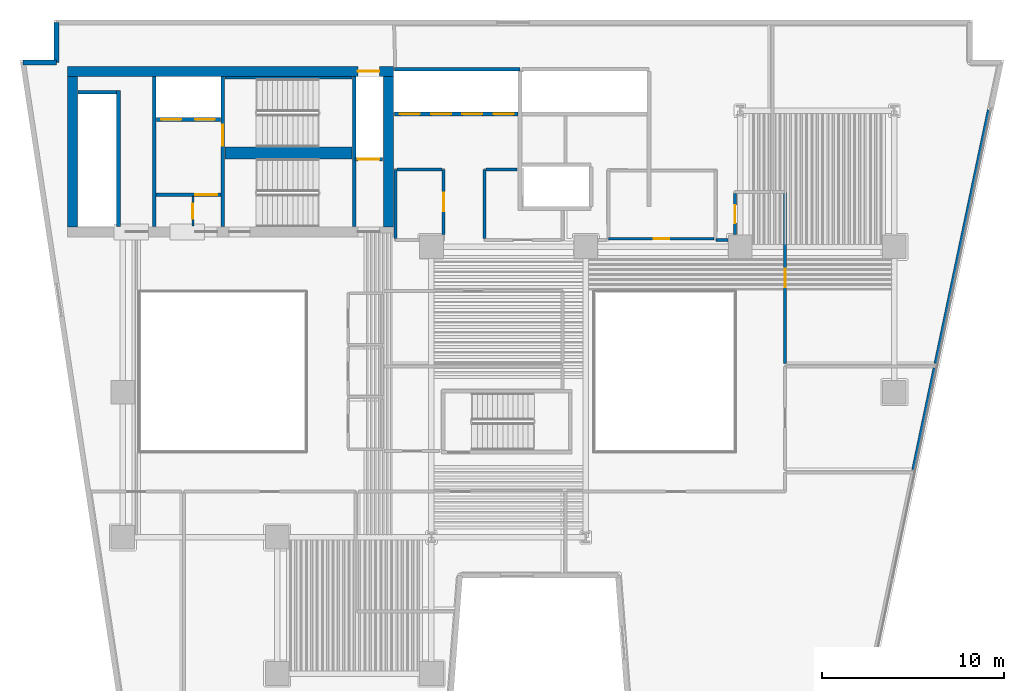
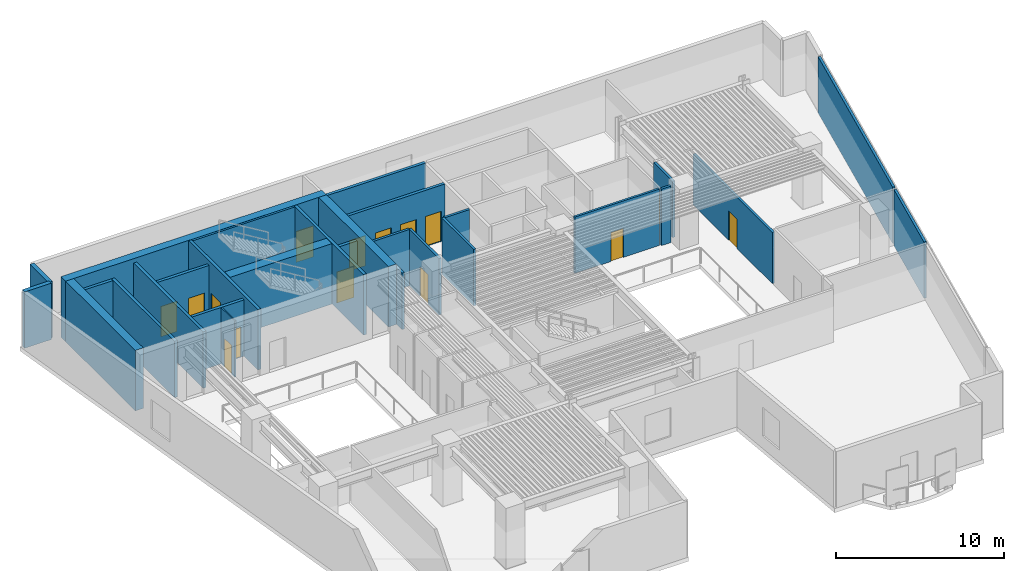
# One storey, part 5 of 11: 29 walls, 15 doors, 15 openings.
"""IFC4 building model written with IfcOpenShell, lengths in metres."""

from ifc_helpers import new_model, si_unit, direction, frame, frame_2d, origin, place, context, subcontext, project, spatial, rectangle, extrude, material, layer, layer_set, type_object, element, fill, save


model = new_model("IFC4")

# Units and contexts
model_context = context("Model", 3, precision=1e-05, world=origin(), true_north=direction((0.0, 1.0)))
body_context = subcontext(model_context, "Body", "Model", "MODEL_VIEW")
ifc_project = project(units=[si_unit("LENGTHUNIT", "METRE"), si_unit("AREAUNIT", "SQUARE_METRE"), si_unit("VOLUMEUNIT", "CUBIC_METRE"), si_unit("PLANEANGLEUNIT", "RADIAN"), si_unit("MASSUNIT", "GRAM", prefix="KILO")], contexts=[model_context])

# Site, building, storey
site_placement = place(None, origin())
site = spatial("IfcSite", under=ifc_project, at=site_placement, CompositionType="ELEMENT")
building_placement = place(site_placement, origin())
building = spatial("IfcBuilding", under=site, at=building_placement, Name="Caeloran Harvest Quay", CompositionType="ELEMENT")
storey_placement = place(building_placement, frame((0.0, 0.0, 66.60009765625)))
storey = spatial("IfcBuildingStorey", under=building, at=storey_placement, Name="L15", CompositionType="ELEMENT", Elevation=66.60009765625)

# Walls
ifc_material_1 = material(Name="Precast concrete C50/60", Category="concrete")
ifc_layer_1 = layer(ifc_material_1, 0.280029296875, Name="Precast concrete C50/60")
ifc_layer_set_1 = layer_set([ifc_layer_1], Name="Precast concrete C50/60")
wall_type_1 = type_object("IfcWallType", Name="ENV-WALL-EW-280", PredefinedType="STANDARD", material=ifc_layer_set_1)
wall_1_placement = place(storey_placement, frame((2.99755859375, 41.159912109375, 0.0), z_axis=(0.0, 0.0, 1.0), x_axis=(1.0, 0.0, 0.0)))
element("IfcWall", 1, at=wall_1_placement, inside=storey, type_object=wall_type_1, Name="L15 Exterior Precast Concrete Facade Wall 4", PredefinedType="STANDARD", context=body_context, shape_type="SweptSolid", body=[
    extrude(rectangle(XDim=1.842529296875, YDim=0.280029296875, at=frame_2d((0.92138671875, 0.0))), origin(), (0.0, 0.0, 1.0), 4.099853515625),
])
wall_2_placement = place(storey_placement, frame((4.840087890625, 41.159912109375, 0.0), z_axis=(0.0, 0.0, 1.0), x_axis=(0.0, 1.0, 0.0)))
element("IfcWall", 2, at=wall_2_placement, inside=storey, type_object=wall_type_1, Name="L15 Exterior Precast Concrete Facade Wall 5", PredefinedType="STANDARD", context=body_context, shape_type="SweptSolid", body=[
    extrude(rectangle(XDim=2.2001953125, YDim=0.280029296875, at=frame_2d((1.10009765625, 0.0))), origin(), (0.0, 0.0, 1.0), 4.099853515625),
])

# Wall, opening, door
ifc_material_2 = material(Name="Fire-Resisting Gypsum Core Riser Partition", Category="gypsum")
ifc_layer_2 = layer(ifc_material_2, 0.10009765625, Name="Fire-Resisting Gypsum Core Riser Partition")
ifc_layer_set_2 = layer_set([ifc_layer_2], Name="Fire-Resisting Gypsum Core Riser Partition")
wall_type_2 = type_object("IfcWallType", Name="INT-WALL-PW-100", PredefinedType="PARTITIONING", material=ifc_layer_set_2)
wall_3_placement = place(storey_placement, frame((12.360107421875, 32.159912109375, 0.0), z_axis=(0.0, 0.0, 1.0), x_axis=(0.0, 1.0, 0.0)))
wall_3 = element("IfcWall", 3, at=wall_3_placement, inside=storey, type_object=wall_type_2, Name="L15 Core Store Partition Wall", PredefinedType="PARTITIONING", context=body_context, shape_type="SweptSolid", body=[
    extrude(rectangle(XDim=1.6201171875, YDim=0.10009765625, at=frame_2d((0.81005859375, 0.0))), origin(), (0.0, 0.0, 1.0), 4.099853515625),
])
opening_1_placement = place(wall_3_placement, frame((0.3798828125, 0.0, 0.0)))
opening_1 = element("IfcOpeningElement", 4, at=opening_1_placement, cuts=wall_3, Name="Opening SV-01", PredefinedType="OPENING", context=body_context, shape_type="SweptSolid", body=[
    extrude(rectangle(XDim=0.85009765625, YDim=2.10009765625, at=frame_2d((0.425048828125, 1.050048828125))), frame((0.0, 0.06005859375, 0.0), z_axis=(0.0, -1.0, 0.0), x_axis=(1.0, 0.0, 0.0)), (0.0, 0.0, 1.0), 0.1201171875),
])
ifc_material_3 = material(Name="Galvanized Painted Steel", Category="steel")
door_type_1 = type_object("IfcDoorType", Name="INTDOOR-SV-01", OperationType="NOTDEFINED", PredefinedType="DOOR", material=ifc_material_3)
door_1_placement = place(opening_1_placement, origin())
door_1 = element("IfcDoor", 5, at=door_1_placement, inside=storey, type_object=door_type_1, Name="L15 Core Service Room Access Door", OperationType="SINGLE_SWING_RIGHT", OverallHeight=2.10009765625, OverallWidth=0.85009765625, PredefinedType="DOOR", context=body_context, shape_type="SweptSolid", body=[
    extrude(rectangle(XDim=0.85009765625, YDim=2.10009765625, at=frame_2d((0.425048828125, 1.050048828125))), frame((0.0, 0.02490234375, 0.0), z_axis=(0.0, -1.0, 0.0), x_axis=(1.0, 0.0, 0.0)), (0.0, 0.0, 1.0), 0.050048828125),
])
fill(opening_1, door_1)

ifc_material_4 = material(Name="Autoclaved Aerated Concrete Blockwork and Plasterboard", Category="masonry")
ifc_layer_3 = layer(ifc_material_4, 0.14990234375, Name="Autoclaved Aerated Concrete Blockwork and Plasterboard")
ifc_layer_set_3 = layer_set([ifc_layer_3], Name="Autoclaved Aerated Concrete Blockwork and Plasterboard")
wall_type_3 = type_object("IfcWallType", Name="INT-WALL-PW-150", PredefinedType="PARTITIONING", material=ifc_layer_set_3)
wall_4_placement = place(storey_placement, frame((41.070068359375, 31.449951171875, 0.0), z_axis=(0.0, 0.0, 1.0), x_axis=(-1.0, 0.0, 0.0)))
wall_4 = element("IfcWall", 6, at=wall_4_placement, inside=storey, type_object=wall_type_3, Name="L15 Core Telemetry Control Room Partition Wall", PredefinedType="PARTITIONING", context=body_context, shape_type="SweptSolid", body=[
    extrude(rectangle(XDim=5.820068359375, YDim=0.14990234375, at=frame_2d((2.91015625, 0.0))), origin(), (0.0, 0.0, 1.0), 4.099853515625),
])
opening_2_placement = place(wall_4_placement, frame((2.485107421875, 0.0, 0.0)))
opening_2 = element("IfcOpeningElement", 7, at=opening_2_placement, cuts=wall_4, Name="Opening SV-01", PredefinedType="OPENING", context=body_context, shape_type="SweptSolid", body=[
    extrude(rectangle(XDim=0.85009765625, YDim=2.10009765625, at=frame_2d((0.425048828125, 1.050048828125))), frame((0.0, 0.0849609375, 0.0), z_axis=(0.0, -1.0, 0.0), x_axis=(1.0, 0.0, 0.0)), (0.0, 0.0, 1.0), 0.169921875),
])
door_2_placement = place(opening_2_placement, origin())
door_2 = element("IfcDoor", 8, at=door_2_placement, inside=storey, type_object=door_type_1, Name="L15 Core Telemetry Control Room Access Door", OperationType="SINGLE_SWING_RIGHT", OverallHeight=2.10009765625, OverallWidth=0.85009765625, PredefinedType="DOOR", context=body_context, shape_type="SweptSolid", body=[
    extrude(rectangle(XDim=0.85009765625, YDim=2.10009765625, at=frame_2d((0.425048828125, 1.050048828125))), frame((0.0, 0.02490234375, 0.0), z_axis=(0.0, -1.0, 0.0), x_axis=(1.0, 0.0, 0.0)), (0.0, 0.0, 1.0), 0.050048828125),
])
fill(opening_2, door_2)

# Walls
ifc_material_5 = material(Name="Autoclaved Aerated Concrete Blockwork", Category="masonry")
ifc_layer_4 = layer(ifc_material_5, 0.1650390625, Name="Autoclaved Aerated Concrete Blockwork")
ifc_layer_set_4 = layer_set([ifc_layer_4], Name="Autoclaved Aerated Concrete Blockwork")
wall_type_4 = type_object("IfcWallType", Name="INT-WALL-PW-165", PredefinedType="PARTITIONING", material=ifc_layer_set_4)
wall_5_placement = place(storey_placement, frame((53.20751953125, 24.33251953125, 0.0), z_axis=(0.0, 0.0, 1.0), x_axis=(-0.20551396666, -0.978654182798, 0.0)))
element("IfcWall", 9, at=wall_5_placement, inside=storey, type_object=wall_type_4, Name="Packaging Crate Laboratory Partition Wall", PredefinedType="PARTITIONING", context=body_context, shape_type="SweptSolid", body=[
    extrude(rectangle(XDim=5.724853515625, YDim=0.1650390625, at=frame_2d((2.8623046875, 0.0))), origin(), (0.0, 0.0, 1.0), 4.099853515625),
])
wall_6_placement = place(storey_placement, frame((28.429931640625, 31.467529296875, 0.0), z_axis=(0.0, 0.0, 1.0), x_axis=(0.0, 1.0, 0.0)))
element("IfcWall", 10, at=wall_6_placement, inside=storey, type_object=wall_type_4, Name="Staff Wellness Lounge Partition Wall", PredefinedType="PARTITIONING", context=body_context, shape_type="SweptSolid", body=[
    extrude(rectangle(XDim=3.802490234375, YDim=0.1650390625, at=frame_2d((1.9013671875, 0.0))), origin(), (0.0, 0.0, 1.0), 4.099853515625),
])
wall_7_placement = place(storey_placement, frame((28.517578125, 35.27001953125, 0.0), z_axis=(0.0, 0.0, 1.0), x_axis=(1.0, 0.0, 0.0)))
element("IfcWall", 11, at=wall_7_placement, inside=storey, type_object=wall_type_4, Name="Staff Wellness Lounge Partition Wall", PredefinedType="PARTITIONING", context=body_context, shape_type="SweptSolid", body=[
    extrude(rectangle(XDim=1.702392578125, YDim=0.1650390625, at=frame_2d((0.85107421875, 0.0))), origin(), (0.0, 0.0, 1.0), 4.099853515625),
])

# Wall, opening, door
wall_8_placement = place(storey_placement, frame((26.169921875, 35.27001953125, 0.0), z_axis=(0.0, 0.0, 1.0), x_axis=(0.0, -1.0, 0.0)))
wall_8 = element("IfcWall", 12, at=wall_8_placement, inside=storey, type_object=wall_type_4, Name="Dwarf Citrus Mezzanine Growing Hall 9 Partition Wall", PredefinedType="PARTITIONING", context=body_context, shape_type="SweptSolid", body=[
    extrude(rectangle(XDim=3.594970703125, YDim=0.1650390625, at=frame_2d((1.79736328125, 0.0))), origin(), (0.0, 0.0, 1.0), 4.099853515625),
])
opening_3_placement = place(wall_8_placement, frame((1.297607421875, 0.0, 0.0)))
opening_3 = element("IfcOpeningElement", 13, at=opening_3_placement, cuts=wall_8, Name="Opening ID-01", PredefinedType="OPENING", context=body_context, shape_type="SweptSolid", body=[
    extrude(rectangle(XDim=1.0, YDim=2.14990234375, at=frame_2d((0.5, 1.074951171875))), frame((0.0, 0.092529296875, 0.0), z_axis=(0.0, -1.0, 0.0), x_axis=(1.0, 0.0, 0.0)), (0.0, 0.0, 1.0), 0.18505859375),
])
ifc_material_6 = material(Name="FSC Solid-Core Ash Timber and Acoustic Seal", Category="wood")
door_type_2 = type_object("IfcDoorType", Name="INTDOOR-ID-01", OperationType="NOTDEFINED", PredefinedType="DOOR", material=ifc_material_6)
door_3_placement = place(opening_3_placement, origin())
door_3 = element("IfcDoor", 14, at=door_3_placement, inside=storey, type_object=door_type_2, Name="Dwarf Citrus Mezzanine Growing Hall 9 Access Door", OperationType="SINGLE_SWING_LEFT", OverallHeight=2.14990234375, OverallWidth=1.0, PredefinedType="DOOR", context=body_context, shape_type="SweptSolid", body=[
    extrude(rectangle(XDim=1.0, YDim=2.14990234375, at=frame_2d((0.5, 1.074951171875))), frame((0.0, 0.02490234375, 0.0), z_axis=(0.0, -1.0, 0.0), x_axis=(1.0, 0.0, 0.0)), (0.0, 0.0, 1.0), 0.050048828125),
])
fill(opening_3, door_3)

# Walls
wall_9_placement = place(storey_placement, frame((23.510009765625, 31.467529296875, 0.0), z_axis=(0.0, 0.0, 1.0), x_axis=(0.0, 1.0, 0.0)))
element("IfcWall", 15, at=wall_9_placement, inside=storey, type_object=wall_type_4, Name="Dwarf Citrus Mezzanine Growing Hall 9 Partition Wall", PredefinedType="PARTITIONING", context=body_context, shape_type="SweptSolid", body=[
    extrude(rectangle(XDim=3.804443359375, YDim=0.1650390625, at=frame_2d((1.90234375, 0.0))), origin(), (0.0, 0.0, 1.0), 4.099853515625),
])
wall_10_placement = place(storey_placement, frame((23.597412109375, 35.27001953125, 0.0), z_axis=(0.0, 0.0, 1.0), x_axis=(1.0, 0.0, 0.0)))
element("IfcWall", 16, at=wall_10_placement, inside=storey, type_object=wall_type_4, Name="Dwarf Citrus Mezzanine Growing Hall 9 Partition Wall", PredefinedType="PARTITIONING", context=body_context, shape_type="SweptSolid", body=[
    extrude(rectangle(XDim=2.485107421875, YDim=0.1650390625, at=frame_2d((1.24267578125, 0.0))), origin(), (0.0, 0.0, 1.0), 4.099853515625),
])
wall_11_placement = place(storey_placement, frame((56.1943359375, 38.547607421875, 0.0), z_axis=(0.0, 0.0, 1.0), x_axis=(-0.205594071113, -0.978637357719, 0.0)))
element("IfcWall", 17, at=wall_11_placement, inside=storey, type_object=wall_type_4, Name="Medicinal Plant Aeroponic Room 10 Partition Wall", PredefinedType="PARTITIONING", context=body_context, shape_type="SweptSolid", body=[
    extrude(rectangle(XDim=14.2724609375, YDim=0.1650390625, at=frame_2d((7.13623046875, 0.0))), origin(), (0.0, 0.0, 1.0), 4.099853515625),
])

# Wall, opening, door
wall_12_placement = place(storey_placement, frame((44.97998046875, 24.580078125, 0.0), z_axis=(0.0, 0.0, 1.0), x_axis=(0.0, 1.0, 0.0)))
wall_12 = element("IfcWall", 18, at=wall_12_placement, inside=storey, type_object=wall_type_4, Name="Medicinal Plant Aeroponic Room 10 Partition Wall", PredefinedType="PARTITIONING", context=body_context, shape_type="SweptSolid", body=[
    extrude(rectangle(XDim=9.419921875, YDim=0.1650390625, at=frame_2d((4.7099609375, 0.0))), origin(), (0.0, 0.0, 1.0), 3.724853515625),
])
opening_4_placement = place(wall_12_placement, frame((4.2099609375, 0.0, 0.0)))
opening_4 = element("IfcOpeningElement", 19, at=opening_4_placement, cuts=wall_12, Name="Opening ID-01", PredefinedType="OPENING", context=body_context, shape_type="SweptSolid", body=[
    extrude(rectangle(XDim=1.0, YDim=2.14990234375, at=frame_2d((0.5, 1.074951171875))), frame((0.0, 0.092529296875, 0.0), z_axis=(0.0, -1.0, 0.0), x_axis=(1.0, 0.0, 0.0)), (0.0, 0.0, 1.0), 0.18505859375),
])
door_4_placement = place(opening_4_placement, origin())
door_4 = element("IfcDoor", 20, at=door_4_placement, inside=storey, type_object=door_type_2, Name="Medicinal Plant Aeroponic Room 10 Access Door", OperationType="SINGLE_SWING_RIGHT", OverallHeight=2.14990234375, OverallWidth=1.0, PredefinedType="DOOR", context=body_context, shape_type="SweptSolid", body=[
    extrude(rectangle(XDim=1.0, YDim=2.14990234375, at=frame_2d((0.5, 1.074951171875))), frame((0.0, 0.02490234375, 0.0), z_axis=(0.0, -1.0, 0.0), x_axis=(1.0, 0.0, 0.0)), (0.0, 0.0, 1.0), 0.050048828125),
])
fill(opening_4, door_4)

wall_13_placement = place(storey_placement, frame((42.219970703125, 33.9423828125, 0.0), z_axis=(0.0, 0.0, 1.0), x_axis=(0.0, -1.0, 0.0)))
wall_13 = element("IfcWall", 21, at=wall_13_placement, inside=storey, type_object=wall_type_4, Name="Photobiology Spectrum Laboratory 11 Partition Wall", PredefinedType="PARTITIONING", context=body_context, shape_type="SweptSolid", body=[
    extrude(rectangle(XDim=2.267333984375, YDim=0.1650390625, at=frame_2d((1.1337890625, 0.0))), origin(), (0.0, 0.0, 1.0), 4.099853515625),
])
opening_5_placement = place(wall_13_placement, frame((0.6337890625, 0.0, 0.0)))
opening_5 = element("IfcOpeningElement", 22, at=opening_5_placement, cuts=wall_13, Name="Opening ID-01", PredefinedType="OPENING", context=body_context, shape_type="SweptSolid", body=[
    extrude(rectangle(XDim=1.0, YDim=2.14990234375, at=frame_2d((0.5, 1.074951171875))), frame((0.0, 0.092529296875, 0.0), z_axis=(0.0, -1.0, 0.0), x_axis=(1.0, 0.0, 0.0)), (0.0, 0.0, 1.0), 0.18505859375),
])
door_5_placement = place(opening_5_placement, origin())
door_5 = element("IfcDoor", 23, at=door_5_placement, inside=storey, type_object=door_type_2, Name="Photobiology Spectrum Laboratory 11 Access Door", OperationType="SINGLE_SWING_LEFT", OverallHeight=2.14990234375, OverallWidth=1.0, PredefinedType="DOOR", context=body_context, shape_type="SweptSolid", body=[
    extrude(rectangle(XDim=1.0, YDim=2.14990234375, at=frame_2d((0.5, 1.074951171875))), frame((0.0, 0.02490234375, 0.0), z_axis=(0.0, -1.0, 0.0), x_axis=(1.0, 0.0, 0.0)), (0.0, 0.0, 1.0), 0.050048828125),
])
fill(opening_5, door_5)

# Walls
wall_14_placement = place(storey_placement, frame((41.824951171875, 31.3798828125, 0.0), z_axis=(0.0, 0.0, 1.0), x_axis=(-1.0, 0.0, 0.0)))
element("IfcWall", 24, at=wall_14_placement, inside=storey, type_object=wall_type_4, Name="Photobiology Spectrum Laboratory 11 Partition Wall", PredefinedType="PARTITIONING", context=body_context, shape_type="SweptSolid", body=[
    extrude(rectangle(XDim=0.660400390625, YDim=0.1650390625, at=frame_2d((0.330078125, 0.0))), origin(), (0.0, 0.0, 1.0), 4.099853515625),
])
ifc_material_7 = material(Name="Concrete C50/60", Category="concrete")
ifc_layer_5 = layer(ifc_material_7, 0.199951171875, Name="Concrete C50/60")
ifc_layer_set_5 = layer_set([ifc_layer_5], Name="Concrete C50/60")
wall_type_5 = type_object("IfcWallType", Name="INT-WALL-SW-200", PredefinedType="PARTITIONING", material=ifc_layer_set_5)
wall_15_placement = place(storey_placement, frame((8.260009765625, 32.1201171875, 0.0), z_axis=(0.0, 0.0, 1.0), x_axis=(0.0, 1.0, 0.0)))
element("IfcWall", 25, at=wall_15_placement, inside=storey, type_object=wall_type_5, Name="L15 Bank 3 Lift Shaft Wall", PredefinedType="PARTITIONING", context=body_context, shape_type="SweptSolid", body=[
    extrude(rectangle(XDim=7.5, YDim=0.199951171875, at=frame_2d((3.75, 0.0))), origin(), (0.0, 0.0, 1.0), 4.099853515625),
])
wall_16_placement = place(storey_placement, frame((6.02001953125, 39.52001953125, 0.0), z_axis=(0.0, 0.0, 1.0), x_axis=(1.0, 0.0, 0.0)))
element("IfcWall", 26, at=wall_16_placement, inside=storey, type_object=wall_type_5, Name="L15 Bank 3 Lift Shaft North End Wall", PredefinedType="PARTITIONING", context=body_context, shape_type="SweptSolid", body=[
    extrude(rectangle(XDim=2.119873046875, YDim=0.199951171875, at=frame_2d((1.06005859375, 0.0))), origin(), (0.0, 0.0, 1.0), 4.099853515625),
])
wall_17_placement = place(storey_placement, frame((10.219970703125, 32.1201171875, 0.0), z_axis=(0.0, 0.0, 1.0), x_axis=(0.0, 1.0, 0.0)))
element("IfcWall", 27, at=wall_17_placement, inside=storey, type_object=wall_type_5, Name="L15 Core Lobby Compartment Wall", PredefinedType="PARTITIONING", context=body_context, shape_type="SweptSolid", body=[
    extrude(rectangle(XDim=8.259765625, YDim=0.199951171875, at=frame_2d((4.1298828125, 0.0))), origin(), (0.0, 0.0, 1.0), 4.099853515625),
])

# Wall, openings, doors
wall_18_placement = place(storey_placement, frame((10.340087890625, 38.02001953125, 0.0), z_axis=(0.0, 0.0, 1.0), x_axis=(1.0, 0.0, 0.0)))
wall_18 = element("IfcWall", 28, at=wall_18_placement, inside=storey, type_object=wall_type_5, Name="L15 Firefighting Lift Shaft Wall", PredefinedType="PARTITIONING", context=body_context, shape_type="SweptSolid", body=[
    extrude(rectangle(XDim=3.539794921875, YDim=0.199951171875, at=frame_2d((1.77001953125, 0.0))), origin(), (0.0, 0.0, 1.0), 4.099853515625),
])
opening_6_placement = place(wall_18_placement, frame((0.284912109375, 0.0, 0.0)))
opening_6 = element("IfcOpeningElement", 29, at=opening_6_placement, cuts=wall_18, Name="Opening LD-01", PredefinedType="OPENING", context=body_context, shape_type="SweptSolid", body=[
    extrude(rectangle(XDim=1.10009765625, YDim=2.199951171875, at=frame_2d((0.550048828125, 1.10009765625))), frame((0.0, 0.10986328125, 0.0), z_axis=(0.0, -1.0, 0.0), x_axis=(1.0, 0.0, 0.0)), (0.0, 0.0, 1.0), 0.219970703125),
])
opening_7_placement = place(wall_18_placement, frame((2.135009765625, 0.0, 0.0)))
opening_7 = element("IfcOpeningElement", 30, at=opening_7_placement, cuts=wall_18, Name="Opening LD-01", PredefinedType="OPENING", context=body_context, shape_type="SweptSolid", body=[
    extrude(rectangle(XDim=1.10009765625, YDim=2.199951171875, at=frame_2d((0.550048828125, 1.10009765625))), frame((0.0, 0.10986328125, 0.0), z_axis=(0.0, -1.0, 0.0), x_axis=(1.0, 0.0, 0.0)), (0.0, 0.0, 1.0), 0.219970703125),
])
ifc_material_8 = material(Name="Stainless Steel Grade 316", Category="steel")
door_type_3 = type_object("IfcDoorType", Name="INTDOOR-LD-01", OperationType="NOTDEFINED", PredefinedType="DOOR", material=ifc_material_8)
door_6_placement = place(opening_6_placement, origin())
door_6 = element("IfcDoor", 31, at=door_6_placement, inside=storey, type_object=door_type_3, Name="Lift FF-1 Sliding Landing Door (L15)", OperationType="DOUBLE_DOOR_SLIDING", OverallHeight=2.199951171875, OverallWidth=1.10009765625, PredefinedType="DOOR", context=body_context, shape_type="SweptSolid", body=[
    extrude(rectangle(XDim=1.10009765625, YDim=2.199951171875, at=frame_2d((0.550048828125, 1.10009765625))), frame((0.0, 0.02490234375, 0.0), z_axis=(0.0, -1.0, 0.0), x_axis=(1.0, 0.0, 0.0)), (0.0, 0.0, 1.0), 0.050048828125),
])
fill(opening_6, door_6)
door_7_placement = place(opening_7_placement, origin())
door_7 = element("IfcDoor", 32, at=door_7_placement, inside=storey, type_object=door_type_3, Name="Lift FF-2 Sliding Landing Door (L15)", OperationType="DOUBLE_DOOR_SLIDING", OverallHeight=2.199951171875, OverallWidth=1.10009765625, PredefinedType="DOOR", context=body_context, shape_type="SweptSolid", body=[
    extrude(rectangle(XDim=1.10009765625, YDim=2.199951171875, at=frame_2d((0.550048828125, 1.10009765625))), frame((0.0, 0.02490234375, 0.0), z_axis=(0.0, -1.0, 0.0), x_axis=(1.0, 0.0, 0.0)), (0.0, 0.0, 1.0), 0.050048828125),
])
fill(opening_7, door_7)

# Wall, opening, door
wall_19_placement = place(storey_placement, frame((10.340087890625, 33.8798828125, 0.0), z_axis=(0.0, 0.0, 1.0), x_axis=(1.0, 0.0, 0.0)))
wall_19 = element("IfcWall", 33, at=wall_19_placement, inside=storey, type_object=wall_type_5, Name="L15 Firefighting Lift Lobby Enclosure Wall", PredefinedType="PARTITIONING", context=body_context, shape_type="SweptSolid", body=[
    extrude(rectangle(XDim=3.559814453125, YDim=0.199951171875, at=frame_2d((1.77978515625, 0.0))), origin(), (0.0, 0.0, 1.0), 4.099853515625),
])
opening_8_placement = place(wall_19_placement, frame((2.14990234375, 0.0, 0.0)))
opening_8 = element("IfcOpeningElement", 34, at=opening_8_placement, cuts=wall_19, Name="Opening FD-01", PredefinedType="OPENING", context=body_context, shape_type="SweptSolid", body=[
    extrude(rectangle(XDim=1.199951171875, YDim=2.199951171875, at=frame_2d((0.60009765625, 1.10009765625))), frame((0.0, 0.10986328125, 0.0), z_axis=(0.0, -1.0, 0.0), x_axis=(1.0, 0.0, 0.0)), (0.0, 0.0, 1.0), 0.219970703125),
])
ifc_material_9 = material(Name="Steel", Category="steel")
door_type_4 = type_object("IfcDoorType", Name="INTDOOR-FD-01", OperationType="NOTDEFINED", PredefinedType="DOOR", material=ifc_material_9)
door_8_placement = place(opening_8_placement, origin())
door_8 = element("IfcDoor", 35, at=door_8_placement, inside=storey, type_object=door_type_4, Name="L15 Firefighting Lift Lobby Smoke-Seal Fire Door", OperationType="SINGLE_SWING_RIGHT", OverallHeight=2.199951171875, OverallWidth=1.199951171875, PredefinedType="DOOR", context=body_context, shape_type="SweptSolid", body=[
    extrude(rectangle(XDim=1.199951171875, YDim=2.199951171875, at=frame_2d((0.60009765625, 1.10009765625))), frame((0.0, 0.02490234375, 0.0), z_axis=(0.0, -1.0, 0.0), x_axis=(1.0, 0.0, 0.0)), (0.0, 0.0, 1.0), 0.050048828125),
])
fill(opening_8, door_8)

wall_20_placement = place(storey_placement, frame((21.300048828125, 35.820068359375, 0.0), z_axis=(0.0, 0.0, 1.0), x_axis=(1.0, 0.0, 0.0)))
wall_20 = element("IfcWall", 36, at=wall_20_placement, inside=storey, type_object=wall_type_5, Name="L15 Service Lift SV-2 Shaft Wall", PredefinedType="PARTITIONING", context=body_context, shape_type="SweptSolid", body=[
    extrude(rectangle(XDim=1.5, YDim=0.199951171875, at=frame_2d((0.75, 0.0))), origin(), (0.0, 0.0, 1.0), 4.099853515625),
])
opening_9_placement = place(wall_20_placement, frame((0.14501953125, 0.0, 0.0)))
opening_9 = element("IfcOpeningElement", 37, at=opening_9_placement, cuts=wall_20, Name="Opening LD-02", PredefinedType="OPENING", context=body_context, shape_type="SweptSolid", body=[
    extrude(rectangle(XDim=1.179931640625, YDim=2.25, at=frame_2d((0.58984375, 1.125))), frame((0.0, 0.10986328125, 0.0), z_axis=(0.0, -1.0, 0.0), x_axis=(1.0, 0.0, 0.0)), (0.0, 0.0, 1.0), 0.219970703125),
])
door_type_5 = type_object("IfcDoorType", Name="INTDOOR-LD-02", OperationType="NOTDEFINED", PredefinedType="DOOR", material=ifc_material_8)
door_9_placement = place(opening_9_placement, origin())
door_9 = element("IfcDoor", 38, at=door_9_placement, inside=storey, type_object=door_type_5, Name="Lift SV-2 Sliding Landing Door (L15)", OperationType="DOUBLE_DOOR_SLIDING", OverallHeight=2.25, OverallWidth=1.179931640625, PredefinedType="DOOR", context=body_context, shape_type="SweptSolid", body=[
    extrude(rectangle(XDim=1.179931640625, YDim=2.25, at=frame_2d((0.58984375, 1.125))), frame((0.0, 0.02490234375, 0.0), z_axis=(0.0, -1.0, 0.0), x_axis=(1.0, 0.0, 0.0)), (0.0, 0.0, 1.0), 0.050048828125),
])
fill(opening_9, door_9)

# Wall
wall_21_placement = place(storey_placement, frame((23.469970703125, 40.780029296875, 0.0), z_axis=(0.0, 0.0, 1.0), x_axis=(1.0, 0.0, 0.0)))
element("IfcWall", 39, at=wall_21_placement, inside=storey, type_object=wall_type_5, Name="L15 Bank 1 Lift Shaft North Wall", PredefinedType="PARTITIONING", context=body_context, shape_type="SweptSolid", body=[
    extrude(rectangle(XDim=6.909912109375, YDim=0.199951171875, at=frame_2d((3.455078125, 0.0))), origin(), (0.0, 0.0, 1.0), 4.099853515625),
])

# Wall, openings, doors
wall_22_placement = place(storey_placement, frame((23.469970703125, 38.320068359375, 0.0), z_axis=(0.0, 0.0, 1.0), x_axis=(1.0, 0.0, 0.0)))
wall_22 = element("IfcWall", 40, at=wall_22_placement, inside=storey, type_object=wall_type_5, Name="L15 Bank 1 Lift Landing Front Wall", PredefinedType="PARTITIONING", context=body_context, shape_type="SweptSolid", body=[
    extrude(rectangle(XDim=6.7900390625, YDim=0.199951171875, at=frame_2d((3.39501953125, 0.0))), origin(), (0.0, 0.0, 1.0), 4.099853515625),
])
opening_10_placement = place(wall_22_placement, frame((0.2900390625, 0.0, 0.0)))
opening_10 = element("IfcOpeningElement", 41, at=opening_10_placement, cuts=wall_22, Name="Opening LD-01", PredefinedType="OPENING", context=body_context, shape_type="SweptSolid", body=[
    extrude(rectangle(XDim=1.10009765625, YDim=2.199951171875, at=frame_2d((0.550048828125, 1.10009765625))), frame((0.0, 0.10986328125, 0.0), z_axis=(0.0, -1.0, 0.0), x_axis=(1.0, 0.0, 0.0)), (0.0, 0.0, 1.0), 0.219970703125),
])
opening_11_placement = place(wall_22_placement, frame((2.010009765625, 0.0, 0.0)))
opening_11 = element("IfcOpeningElement", 42, at=opening_11_placement, cuts=wall_22, Name="Opening LD-01", PredefinedType="OPENING", context=body_context, shape_type="SweptSolid", body=[
    extrude(rectangle(XDim=1.10009765625, YDim=2.199951171875, at=frame_2d((0.550048828125, 1.10009765625))), frame((0.0, 0.10986328125, 0.0), z_axis=(0.0, -1.0, 0.0), x_axis=(1.0, 0.0, 0.0)), (0.0, 0.0, 1.0), 0.219970703125),
])
opening_12_placement = place(wall_22_placement, frame((3.72998046875, 0.0, 0.0)))
opening_12 = element("IfcOpeningElement", 43, at=opening_12_placement, cuts=wall_22, Name="Opening LD-01", PredefinedType="OPENING", context=body_context, shape_type="SweptSolid", body=[
    extrude(rectangle(XDim=1.10009765625, YDim=2.199951171875, at=frame_2d((0.550048828125, 1.10009765625))), frame((0.0, 0.10986328125, 0.0), z_axis=(0.0, -1.0, 0.0), x_axis=(1.0, 0.0, 0.0)), (0.0, 0.0, 1.0), 0.219970703125),
])
opening_13_placement = place(wall_22_placement, frame((5.449951171875, 0.0, 0.0)))
opening_13 = element("IfcOpeningElement", 44, at=opening_13_placement, cuts=wall_22, Name="Opening LD-01", PredefinedType="OPENING", context=body_context, shape_type="SweptSolid", body=[
    extrude(rectangle(XDim=1.10009765625, YDim=2.199951171875, at=frame_2d((0.550048828125, 1.10009765625))), frame((0.0, 0.10986328125, 0.0), z_axis=(0.0, -1.0, 0.0), x_axis=(1.0, 0.0, 0.0)), (0.0, 0.0, 1.0), 0.219970703125),
])
door_10_placement = place(opening_10_placement, origin())
door_10 = element("IfcDoor", 45, at=door_10_placement, inside=storey, type_object=door_type_3, Name="Lift P1-1 Sliding Landing Door (L15)", OperationType="DOUBLE_DOOR_SLIDING", OverallHeight=2.199951171875, OverallWidth=1.10009765625, PredefinedType="DOOR", context=body_context, shape_type="SweptSolid", body=[
    extrude(rectangle(XDim=1.10009765625, YDim=2.199951171875, at=frame_2d((0.550048828125, 1.10009765625))), frame((0.0, 0.02490234375, 0.0), z_axis=(0.0, -1.0, 0.0), x_axis=(1.0, 0.0, 0.0)), (0.0, 0.0, 1.0), 0.050048828125),
])
fill(opening_10, door_10)
door_11_placement = place(opening_11_placement, origin())
door_11 = element("IfcDoor", 46, at=door_11_placement, inside=storey, type_object=door_type_3, Name="Lift P1-2 Sliding Landing Door (L15)", OperationType="DOUBLE_DOOR_SLIDING", OverallHeight=2.199951171875, OverallWidth=1.10009765625, PredefinedType="DOOR", context=body_context, shape_type="SweptSolid", body=[
    extrude(rectangle(XDim=1.10009765625, YDim=2.199951171875, at=frame_2d((0.550048828125, 1.10009765625))), frame((0.0, 0.02490234375, 0.0), z_axis=(0.0, -1.0, 0.0), x_axis=(1.0, 0.0, 0.0)), (0.0, 0.0, 1.0), 0.050048828125),
])
fill(opening_11, door_11)
door_12_placement = place(opening_12_placement, origin())
door_12 = element("IfcDoor", 47, at=door_12_placement, inside=storey, type_object=door_type_3, Name="Lift P1-3 Sliding Landing Door (L15)", OperationType="DOUBLE_DOOR_SLIDING", OverallHeight=2.199951171875, OverallWidth=1.10009765625, PredefinedType="DOOR", context=body_context, shape_type="SweptSolid", body=[
    extrude(rectangle(XDim=1.10009765625, YDim=2.199951171875, at=frame_2d((0.550048828125, 1.10009765625))), frame((0.0, 0.02490234375, 0.0), z_axis=(0.0, -1.0, 0.0), x_axis=(1.0, 0.0, 0.0)), (0.0, 0.0, 1.0), 0.050048828125),
])
fill(opening_12, door_12)
door_13_placement = place(opening_13_placement, origin())
door_13 = element("IfcDoor", 48, at=door_13_placement, inside=storey, type_object=door_type_3, Name="Lift P1-4 Sliding Landing Door (L15)", OperationType="DOUBLE_DOOR_SLIDING", OverallHeight=2.199951171875, OverallWidth=1.10009765625, PredefinedType="DOOR", context=body_context, shape_type="SweptSolid", body=[
    extrude(rectangle(XDim=1.10009765625, YDim=2.199951171875, at=frame_2d((0.550048828125, 1.10009765625))), frame((0.0, 0.02490234375, 0.0), z_axis=(0.0, -1.0, 0.0), x_axis=(1.0, 0.0, 0.0)), (0.0, 0.0, 1.0), 0.050048828125),
])
fill(opening_13, door_13)

# Wall, opening, door
ifc_material_10 = material(Name="Concrete C80/95", Category="concrete")
ifc_layer_6 = layer(ifc_material_10, 0.550048828125, Name="Concrete C80/95")
ifc_layer_set_6 = layer_set([ifc_layer_6], Name="Concrete C80/95")
wall_type_6 = type_object("IfcWallType", Name="STR-WALL-CW-550", PredefinedType="SHEAR", material=ifc_layer_set_6)
wall_23_placement = place(storey_placement, frame((5.449951171875, 40.675048828125, 0.0), z_axis=(0.0, 0.0, 1.0), x_axis=(1.0, 0.0, 0.0)))
wall_23 = element("IfcWall", 49, at=wall_23_placement, inside=storey, type_object=wall_type_6, Name="L15 Rear Core Shear Wall N", PredefinedType="SHEAR", context=body_context, shape_type="SweptSolid", body=[
    extrude(rectangle(XDim=17.949951171875, YDim=0.550048828125, at=frame_2d((8.97509765625, 0.0))), origin(), (0.0, 0.0, 1.0), 4.39990234375),
])
opening_14_placement = place(wall_23_placement, frame((15.9951171875, 0.0, 0.0)))
opening_14 = element("IfcOpeningElement", 50, at=opening_14_placement, cuts=wall_23, Name="Opening LD-02", PredefinedType="OPENING", context=body_context, shape_type="SweptSolid", body=[
    extrude(rectangle(XDim=1.179931640625, YDim=2.25, at=frame_2d((0.58984375, 1.125))), frame((0.0, 0.28515625, 0.0), z_axis=(0.0, -1.0, 0.0), x_axis=(1.0, 0.0, 0.0)), (0.0, 0.0, 1.0), 0.570068359375),
])
door_14_placement = place(opening_14_placement, origin())
door_14 = element("IfcDoor", 51, at=door_14_placement, inside=storey, type_object=door_type_5, Name="Lift SV-1 Sliding Landing Door (L15)", OperationType="DOUBLE_DOOR_SLIDING", OverallHeight=2.25, OverallWidth=1.179931640625, PredefinedType="DOOR", context=body_context, shape_type="SweptSolid", body=[
    extrude(rectangle(XDim=1.179931640625, YDim=2.25, at=frame_2d((0.58984375, 1.125))), frame((0.0, 0.02490234375, 0.0), z_axis=(0.0, -1.0, 0.0), x_axis=(1.0, 0.0, 0.0)), (0.0, 0.0, 1.0), 0.050048828125),
])
fill(opening_14, door_14)

# Walls
for number, where, z_axis, x_axis, name in (
    (52, (5.72509765625, 32.10009765625, 0.0), (0.0, 0.0, 1.0), (0.0, 1.0, 0.0), "L15 Rear Core Shear Wall W"),
    (53, (23.125, 32.10009765625, 0.0), (0.0, 0.0, 1.0), (0.0, 1.0, 0.0), "L15 Rear Core Shear Wall E"),
):
    element("IfcWall", number, at=place(storey_placement, frame(where, z_axis=z_axis, x_axis=x_axis)), inside=storey, type_object=wall_type_6, Name=name, PredefinedType="SHEAR", context=body_context, shape_type="SweptSolid", body=[
        extrude(rectangle(XDim=8.2998046875, YDim=0.550048828125, at=frame_2d((4.14990234375, 0.0))), origin(), (0.0, 0.0, 1.0), 4.39990234375),
    ])
ifc_material_11 = material(Name="Concrete C60/75", Category="concrete")
ifc_layer_7 = layer(ifc_material_11, 0.64990234375, Name="Concrete C60/75")
ifc_layer_set_7 = layer_set([ifc_layer_7], Name="Concrete C60/75")
wall_type_7 = type_object("IfcWallType", Name="STR-WALL-CW-650", PredefinedType="SHEAR", material=ifc_layer_set_7)
wall_24_placement = place(storey_placement, frame((14.1201171875, 36.175048828125, 0.0), z_axis=(0.0, 0.0, 1.0), x_axis=(1.0, 0.0, 0.0)))
element("IfcWall", 54, at=wall_24_placement, inside=storey, type_object=wall_type_7, Name="L15 Core Stairs Dividing Shear Wall", PredefinedType="SHEAR", context=body_context, shape_type="SweptSolid", body=[
    extrude(rectangle(XDim=7.009765625, YDim=0.64990234375, at=frame_2d((3.5048828125, 0.0))), origin(), (0.0, 0.0, 1.0), 4.39990234375),
])
ifc_layer_8 = layer(ifc_material_11, 0.139892578125, Name="Concrete C60/75")
ifc_layer_set_8 = layer_set([ifc_layer_8], Name="Concrete C60/75")
wall_type_8 = type_object("IfcWallType", Name="STR-WALL-SW-140", PredefinedType="SHEAR", material=ifc_layer_set_8)
wall_25_placement = place(storey_placement, frame((14.1201171875, 40.320068359375, 0.0), z_axis=(0.0, 0.0, 1.0), x_axis=(1.0, 0.0, 0.0)))
element("IfcWall", 55, at=wall_25_placement, inside=storey, type_object=wall_type_8, Name="L15 Core Stair ST-C1 North Bearing Shear Wall", PredefinedType="SHEAR", context=body_context, shape_type="SweptSolid", body=[
    extrude(rectangle(XDim=7.009765625, YDim=0.139892578125, at=frame_2d((3.5048828125, 0.0))), origin(), (0.0, 0.0, 1.0), 4.39990234375),
])

# Wall, opening, door
ifc_layer_9 = layer(ifc_material_11, 0.199951171875, Name="Concrete C60/75")
ifc_layer_set_9 = layer_set([ifc_layer_9], Name="Concrete C60/75")
wall_type_9 = type_object("IfcWallType", Name="STR-WALL-SW-200", PredefinedType="SHEAR", material=ifc_layer_set_9)
wall_26_placement = place(storey_placement, frame((14.0, 32.1201171875, 0.0), z_axis=(0.0, 0.0, 1.0), x_axis=(0.0, 1.0, 0.0)))
wall_26 = element("IfcWall", 56, at=wall_26_placement, inside=storey, type_object=wall_type_9, Name="L15 Core Stair Shaft West Shear Wall", PredefinedType="SHEAR", context=body_context, shape_type="SweptSolid", body=[
    extrude(rectangle(XDim=8.259765625, YDim=0.199951171875, at=frame_2d((4.1298828125, 0.0))), origin(), (0.0, 0.0, 1.0), 4.39990234375),
])
opening_15_placement = place(wall_26_placement, frame((4.4599609375, 0.0, 0.0)))
opening_15 = element("IfcOpeningElement", 57, at=opening_15_placement, cuts=wall_26, Name="Opening SD-01", PredefinedType="OPENING", context=body_context, shape_type="SweptSolid", body=[
    extrude(rectangle(XDim=1.14990234375, YDim=2.199951171875, at=frame_2d((0.574951171875, 1.10009765625))), frame((0.0, 0.10986328125, 0.0), z_axis=(0.0, -1.0, 0.0), x_axis=(1.0, 0.0, 0.0)), (0.0, 0.0, 1.0), 0.219970703125),
])
door_type_6 = type_object("IfcDoorType", Name="INTDOOR-SD-01", OperationType="NOTDEFINED", PredefinedType="DOOR", material=ifc_material_9)
door_15_placement = place(opening_15_placement, origin())
door_15 = element("IfcDoor", 58, at=door_15_placement, inside=storey, type_object=door_type_6, Name="L15 Protected Stair ST-C1 Exit Door", OperationType="SINGLE_SWING_LEFT", OverallHeight=2.199951171875, OverallWidth=1.14990234375, PredefinedType="DOOR", context=body_context, shape_type="SweptSolid", body=[
    extrude(rectangle(XDim=1.14990234375, YDim=2.199951171875, at=frame_2d((0.574951171875, 1.10009765625))), frame((0.0, 0.02490234375, 0.0), z_axis=(0.0, -1.0, 0.0), x_axis=(1.0, 0.0, 0.0)), (0.0, 0.0, 1.0), 0.050048828125),
])
fill(opening_15, door_15)

# Wall
wall_27_placement = place(storey_placement, frame((21.25, 32.1201171875, 0.0), z_axis=(0.0, 0.0, 1.0), x_axis=(0.0, 1.0, 0.0)))
element("IfcWall", 59, at=wall_27_placement, inside=storey, type_object=wall_type_9, Name="L15 Core Stair Shaft East Shear Wall", PredefinedType="SHEAR", context=body_context, shape_type="SweptSolid", body=[
    extrude(rectangle(XDim=8.259765625, YDim=0.199951171875, at=frame_2d((4.1298828125, 0.0))), origin(), (0.0, 0.0, 1.0), 4.39990234375),
])

save(model, "model.ifc")
